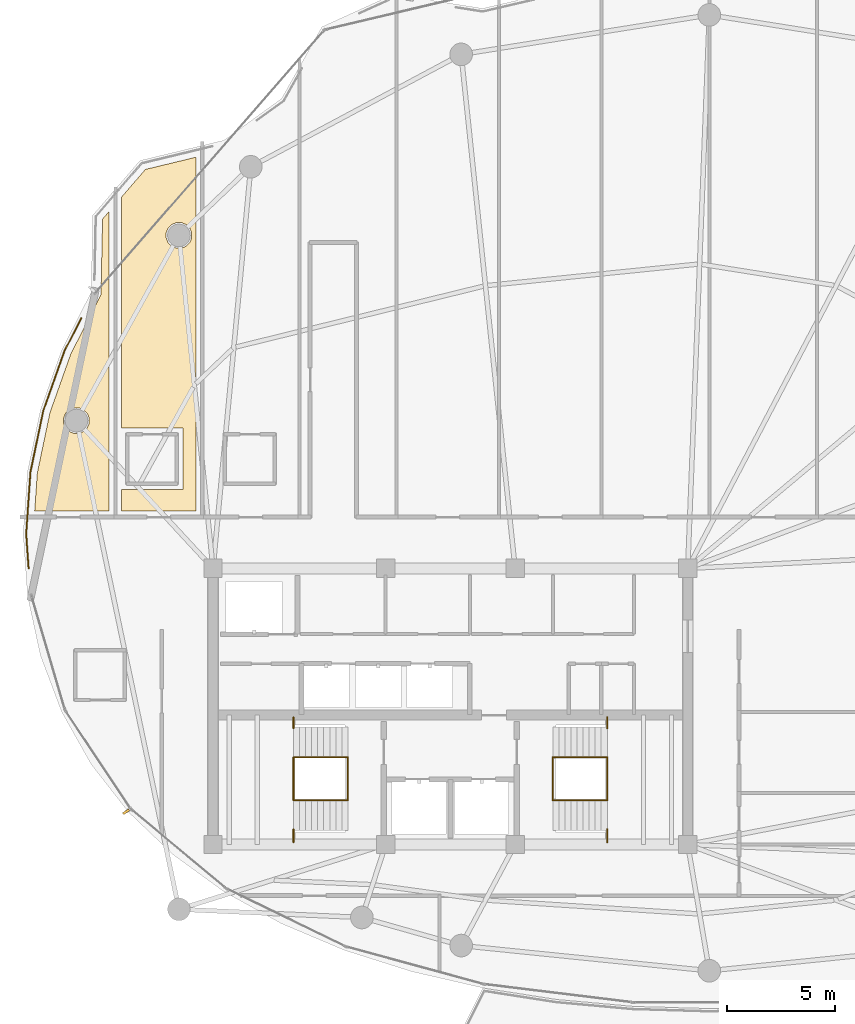
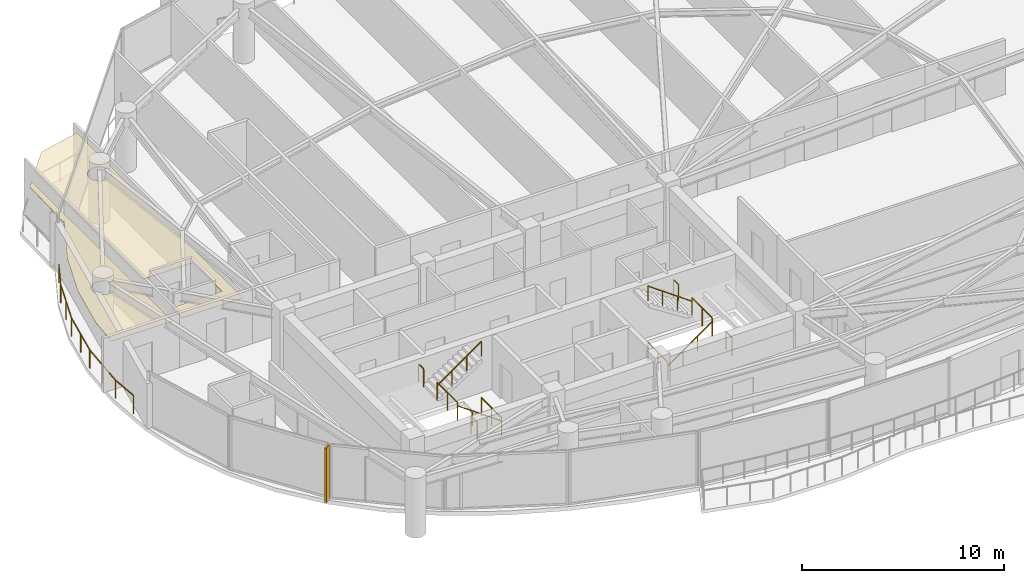
# One storey, part 27 of 29: 13 railings, 2 coverings, 1 shading device.
"""IFC4 building model written with IfcOpenShell, lengths in metres."""

from ifc_helpers import new_model, si_unit, direction, frame, origin, origin_2d, place, context, subcontext, project, spatial, polyline, rectangle, outline, extrude, material, layer, layer_set, type_object, element, save


model = new_model("IFC4")

# Units and contexts
model_context = context("Model", 3, precision=1e-05, world=origin(), true_north=direction((0.0, 1.0)))
body_context = subcontext(model_context, "Body", "Model", "MODEL_VIEW")
ifc_project = project(units=[si_unit("LENGTHUNIT", "METRE"), si_unit("AREAUNIT", "SQUARE_METRE"), si_unit("VOLUMEUNIT", "CUBIC_METRE"), si_unit("PLANEANGLEUNIT", "RADIAN"), si_unit("MASSUNIT", "GRAM", prefix="KILO")], contexts=[model_context])

# Site, building, storey
site_placement = place(None, origin())
site = spatial("IfcSite", under=ifc_project, at=site_placement, CompositionType="ELEMENT")
building_placement = place(site_placement, origin())
building = spatial("IfcBuilding", under=site, at=building_placement, Name="Kazevale Care Tower and Concert Hall", CompositionType="ELEMENT")
storey_placement = place(building_placement, frame((0.0, 0.0, 249.60009765625)))
storey = spatial("IfcBuildingStorey", under=building, at=storey_placement, Name="L66", CompositionType="ELEMENT", Elevation=249.60009765625)

# Coverings
ifc_material_1 = material(Name="Acoustic Plaster and Hinoki Wood", Category="wood")
ifc_layer = layer(ifc_material_1, 0.0400390625)
ifc_layer_set = layer_set([ifc_layer], Name="Acoustic Plaster and Hinoki Wood")
covering_type = type_object("IfcCoveringType", Name="Acoustic Perforated Wood-Gypsum Ceiling", PredefinedType="CEILING", material=ifc_layer_set)
covering_1_placement = place(storey_placement, frame((0.0, 0.0, 2.6298828125)))
element("IfcCovering", 1, at=covering_1_placement, inside=storey, type_object=covering_type, Name="clg:L66:1", PredefinedType="CEILING", context=body_context, shape_type="SweptSolid", body=[
    extrude(outline(polyline([(15.407958984375, 46.339111328125), (16.806884765625, 49.0791015625), (16.8798828125, 52.589111328125), (17.18994140625, 52.947998046875), (17.18994140625, 39.054931640625), (13.73388671875, 39.054931640625), (13.85693359375, 40.824951171875), (14.44091796875, 43.615966796875), (15.407958984375, 46.339111328125)]), holes=[polyline([(16.262939453125, 43.367919921875), (16.173095703125, 43.5859375), (16.006103515625, 43.7529296875), (15.7880859375, 43.843017578125), (15.552001953125, 43.843017578125), (15.333984375, 43.7529296875), (15.1669921875, 43.5859375), (15.076904296875, 43.367919921875), (15.076904296875, 43.132080078125), (15.1669921875, 42.9140625), (15.333984375, 42.7470703125), (15.552001953125, 42.656982421875), (15.7880859375, 42.656982421875), (16.006103515625, 42.7470703125), (16.173095703125, 42.9140625), (16.262939453125, 43.132080078125), (16.262939453125, 43.367919921875)])]), origin(), (0.0, 0.0, 1.0), 0.0400390625),
])
covering_2_placement = place(storey_placement, frame((0.0, 0.0, 2.6298828125)))
element("IfcCovering", 2, at=covering_2_placement, inside=storey, type_object=covering_type, Name="clg:L66:2", PredefinedType="CEILING", context=body_context, shape_type="SweptSolid", body=[
    extrude(outline(polyline([(17.75, 40.044921875), (20.60009765625, 40.044921875), (20.60009765625, 42.905029296875), (17.75, 42.905029296875), (17.75, 53.596923828125), (18.864990234375, 54.888916015625), (21.219970703125, 55.4580078125), (21.219970703125, 39.054931640625), (17.75, 39.054931640625), (17.75, 40.044921875)]), holes=[polyline([(21.012939453125, 51.947998046875), (20.923095703125, 52.166015625), (20.756103515625, 52.3330078125), (20.5380859375, 52.423095703125), (20.302001953125, 52.423095703125), (20.083984375, 52.3330078125), (19.9169921875, 52.166015625), (19.826904296875, 51.947998046875), (19.826904296875, 51.7119140625), (19.9169921875, 51.493896484375), (20.083984375, 51.326904296875), (20.302001953125, 51.237060546875), (20.5380859375, 51.237060546875), (20.756103515625, 51.326904296875), (20.923095703125, 51.493896484375), (21.012939453125, 51.7119140625), (21.012939453125, 51.947998046875)])]), origin(), (0.0, 0.0, 1.0), 0.0400390625),
])

# Railings
ifc_material_2 = material(Name="Anodised Bronze Aluminium and Laminated Glass", Category="aluminium")
railing_type_1 = type_object("IfcRailingType", Name="Balcony and Terrace Balustrade 1120", PredefinedType="BALUSTRADE", material=ifc_material_2)
railing_1_placement = place(storey_placement, frame((13.451904296875, 36.39892578125, 0.0)))
element("IfcRailing", 3, at=railing_1_placement, inside=storey, type_object=railing_type_1, Name="rail:L66:perim:1", PredefinedType="BALUSTRADE", context=body_context, shape_type="SweptSolid", body=[
    extrude(rectangle(XDim=0.048095703125, YDim=0.048095703125, at=origin_2d()), frame((0.0, 0.0, 1.09619140625), z_axis=(-0.069668671127, 0.997570186134, 0.0), x_axis=(-0.997570186134, -0.069668671127, 0.0)), (0.0, 0.0, 1.0), 1.60498046875),
    extrude(rectangle(XDim=0.048095703125, YDim=0.048095703125, at=origin_2d()), frame((-0.11181640625, 1.60107421875, 1.09619140625), z_axis=(0.069189590327, 0.997603528758, 0.0), x_axis=(-0.997603528758, 0.069189590327, 0.0)), (0.0, 0.0, 1.0), 2.875732421875),
    extrude(rectangle(XDim=0.048095703125, YDim=0.048095703125, at=origin_2d()), frame((0.087158203125, 4.469970703125, 1.09619140625), z_axis=(0.204816187417, 0.978800454317, 0.0), x_axis=(-0.978800454317, 0.204816187417, 0.0)), (0.0, 0.0, 1.0), 2.895263671875),
    extrude(rectangle(XDim=0.048095703125, YDim=0.048095703125, at=origin_2d()), frame((0.68017578125, 7.303955078125, 1.09619140625), z_axis=(0.334552974602, 0.942376945381, 0.0), x_axis=(-0.942376945381, 0.334552974602, 0.0)), (0.0, 0.0, 1.0), 2.93212890625),
    extrude(rectangle(XDim=0.048095703125, YDim=0.048095703125, at=origin_2d()), frame((1.6611328125, 10.067138671875, 1.09619140625), z_axis=(0.455056261721, 0.890462687971, 0.0), x_axis=(-0.890462687971, 0.455056261721, 0.0)), (0.0, 0.0, 1.0), 1.72705078125),
    extrude(rectangle(XDim=0.0419921875, YDim=0.0419921875, at=origin_2d()), origin(), (0.0, 0.0, 1.0), 1.072021484375),
    extrude(rectangle(XDim=0.0419921875, YDim=0.0419921875, at=origin_2d()), frame((-0.11181640625, 1.60107421875, 0.0)), (0.0, 0.0, 1.0), 1.072021484375),
    extrude(rectangle(XDim=0.0419921875, YDim=0.0419921875, at=origin_2d()), frame((-0.01220703125, 3.03564453125, 0.0)), (0.0, 0.0, 1.0), 1.072021484375),
    extrude(rectangle(XDim=0.0419921875, YDim=0.0419921875, at=origin_2d()), frame((0.087158203125, 4.469970703125, 0.0)), (0.0, 0.0, 1.0), 1.072021484375),
    extrude(rectangle(XDim=0.0419921875, YDim=0.0419921875, at=origin_2d()), frame((0.3837890625, 5.886962890625, 0.0)), (0.0, 0.0, 1.0), 1.072021484375),
    extrude(rectangle(XDim=0.0419921875, YDim=0.0419921875, at=origin_2d()), frame((0.68017578125, 7.303955078125, 0.0)), (0.0, 0.0, 1.0), 1.072021484375),
    extrude(rectangle(XDim=0.0419921875, YDim=0.0419921875, at=origin_2d()), frame((1.170654296875, 8.685546875, 0.0)), (0.0, 0.0, 1.0), 1.072021484375),
    extrude(rectangle(XDim=0.0419921875, YDim=0.0419921875, at=origin_2d()), frame((1.6611328125, 10.067138671875, 0.0)), (0.0, 0.0, 1.0), 1.072021484375),
    extrude(rectangle(XDim=0.0419921875, YDim=0.0419921875, at=origin_2d()), frame((2.447021484375, 11.60498046875, 0.0)), (0.0, 0.0, 1.0), 1.072021484375),
])
ifc_material_3 = material(Name="Stainless Steel 316", Category="steel")
railing_type_2 = type_object("IfcRailingType", Name="Stair Pitch Handrail 920", PredefinedType="HANDRAIL", material=ifc_material_3)
railing_2_placement = place(storey_placement, frame((28.25, 25.64990234375, 0.0)))
element("IfcRailing", 4, at=railing_2_placement, inside=storey, type_object=railing_type_2, Name="stair:L66:ST1:hr1", PredefinedType="HANDRAIL", context=body_context, shape_type="SweptSolid", body=[
    extrude(rectangle(XDim=0.048095703125, YDim=0.048095703125, at=origin_2d()), frame((0.0, 0.0, 0.89599609375), z_axis=(-0.813765431312, 0.0, 0.581193446971), x_axis=(0.0, -1.0, 0.0)), (0.0, 0.0, 1.0), 3.0966796875),
    extrude(rectangle(XDim=0.0419921875, YDim=0.0419921875, at=origin_2d()), origin(), (0.0, 0.0, 1.0), 0.871826171875),
    extrude(rectangle(XDim=0.0419921875, YDim=0.0419921875, at=origin_2d()), frame((-0.840087890625, 0.0, 0.599853515625)), (0.0, 0.0, 1.0), 0.871826171875),
    extrude(rectangle(XDim=0.0419921875, YDim=0.0419921875, at=origin_2d()), frame((-1.679931640625, 0.0, 1.199951171875)), (0.0, 0.0, 1.0), 0.871826171875),
    extrude(rectangle(XDim=0.0419921875, YDim=0.0419921875, at=origin_2d()), frame((-2.52001953125, 0.0, 1.7998046875)), (0.0, 0.0, 1.0), 0.871826171875),
])
railing_3_placement = place(storey_placement, frame((25.72998046875, 27.64990234375, 1.7998046875)))
element("IfcRailing", 5, at=railing_3_placement, inside=storey, type_object=railing_type_2, Name="stair:L66:ST1:hr2", PredefinedType="HANDRAIL", context=body_context, shape_type="SweptSolid", body=[
    extrude(rectangle(XDim=0.048095703125, YDim=0.048095703125, at=origin_2d()), frame((0.0, 0.0, 0.89599609375), z_axis=(0.813728144527, 0.0, 0.581245650998), x_axis=(0.0, 1.0, 0.0)), (0.0, 0.0, 1.0), 3.096923828125),
    extrude(rectangle(XDim=0.0419921875, YDim=0.0419921875, at=origin_2d()), origin(), (0.0, 0.0, 1.0), 0.871826171875),
    extrude(rectangle(XDim=0.0419921875, YDim=0.0419921875, at=origin_2d()), frame((0.840087890625, 0.0, 0.60009765625)), (0.0, 0.0, 1.0), 0.871826171875),
    extrude(rectangle(XDim=0.0419921875, YDim=0.0419921875, at=origin_2d()), frame((1.679931640625, 0.0, 1.199951171875)), (0.0, 0.0, 1.0), 0.871826171875),
    extrude(rectangle(XDim=0.0419921875, YDim=0.0419921875, at=origin_2d()), frame((2.52001953125, 0.0, 1.800048828125)), (0.0, 0.0, 1.0), 0.871826171875),
])
railing_4_placement = place(storey_placement, frame((37.75, 25.64990234375, 0.0)))
element("IfcRailing", 6, at=railing_4_placement, inside=storey, type_object=railing_type_2, Name="stair:L66:ST2:hr1", PredefinedType="HANDRAIL", context=body_context, shape_type="SweptSolid", body=[
    extrude(rectangle(XDim=0.048095703125, YDim=0.048095703125, at=origin_2d()), frame((0.0, 0.0, 0.89599609375), z_axis=(0.813765431312, 0.0, 0.581193446971), x_axis=(0.0, 1.0, 0.0)), (0.0, 0.0, 1.0), 3.0966796875),
    extrude(rectangle(XDim=0.0419921875, YDim=0.0419921875, at=origin_2d()), origin(), (0.0, 0.0, 1.0), 0.871826171875),
    extrude(rectangle(XDim=0.0419921875, YDim=0.0419921875, at=origin_2d()), frame((0.840087890625, 0.0, 0.599853515625)), (0.0, 0.0, 1.0), 0.871826171875),
    extrude(rectangle(XDim=0.0419921875, YDim=0.0419921875, at=origin_2d()), frame((1.679931640625, 0.0, 1.199951171875)), (0.0, 0.0, 1.0), 0.871826171875),
    extrude(rectangle(XDim=0.0419921875, YDim=0.0419921875, at=origin_2d()), frame((2.52001953125, 0.0, 1.7998046875)), (0.0, 0.0, 1.0), 0.871826171875),
])
railing_5_placement = place(storey_placement, frame((40.27001953125, 27.64990234375, 1.7998046875)))
element("IfcRailing", 7, at=railing_5_placement, inside=storey, type_object=railing_type_2, Name="stair:L66:ST2:hr2", PredefinedType="HANDRAIL", context=body_context, shape_type="SweptSolid", body=[
    extrude(rectangle(XDim=0.048095703125, YDim=0.048095703125, at=origin_2d()), frame((0.0, 0.0, 0.89599609375), z_axis=(-0.813728144527, 0.0, 0.581245650998), x_axis=(0.0, -1.0, 0.0)), (0.0, 0.0, 1.0), 3.096923828125),
    extrude(rectangle(XDim=0.0419921875, YDim=0.0419921875, at=origin_2d()), origin(), (0.0, 0.0, 1.0), 0.871826171875),
    extrude(rectangle(XDim=0.0419921875, YDim=0.0419921875, at=origin_2d()), frame((-0.840087890625, 0.0, 0.60009765625)), (0.0, 0.0, 1.0), 0.871826171875),
    extrude(rectangle(XDim=0.0419921875, YDim=0.0419921875, at=origin_2d()), frame((-1.679931640625, 0.0, 1.199951171875)), (0.0, 0.0, 1.0), 0.871826171875),
    extrude(rectangle(XDim=0.0419921875, YDim=0.0419921875, at=origin_2d()), frame((-2.52001953125, 0.0, 1.800048828125)), (0.0, 0.0, 1.0), 0.871826171875),
])
railing_type_3 = type_object("IfcRailingType", Name="Stair Well Guard Balustrade 1120", PredefinedType="BALUSTRADE", material=ifc_material_3)
railing_6_placement = place(storey_placement, frame((25.72998046875, 23.699951171875, 1.7998046875)))
element("IfcRailing", 8, at=railing_6_placement, inside=storey, type_object=railing_type_3, Name="stair:L66:ST1:grd_side1", PredefinedType="BALUSTRADE", context=body_context, shape_type="SweptSolid", body=[
    extrude(rectangle(XDim=0.048095703125, YDim=0.048095703125, at=origin_2d()), frame((0.0, 0.0, 1.09619140625), z_axis=(0.0, 1.0, 0.0), x_axis=(-1.0, 0.0, 0.0)), (0.0, 0.0, 1.0), 0.610107421875),
    extrude(rectangle(XDim=0.0419921875, YDim=0.0419921875, at=origin_2d()), origin(), (0.0, 0.0, 1.0), 1.072021484375),
    extrude(rectangle(XDim=0.0419921875, YDim=0.0419921875, at=origin_2d()), frame((0.0, 0.610107421875, 0.0)), (0.0, 0.0, 1.0), 1.072021484375),
])
railing_7_placement = place(storey_placement, frame((25.72998046875, 28.989990234375, 1.7998046875)))
element("IfcRailing", 9, at=railing_7_placement, inside=storey, type_object=railing_type_3, Name="stair:L66:ST1:grd_side2", PredefinedType="BALUSTRADE", context=body_context, shape_type="SweptSolid", body=[
    extrude(rectangle(XDim=0.048095703125, YDim=0.048095703125, at=origin_2d()), frame((0.0, 0.0, 1.09619140625), z_axis=(0.0, 1.0, 0.0), x_axis=(-1.0, 0.0, 0.0)), (0.0, 0.0, 1.0), 0.510009765625),
    extrude(rectangle(XDim=0.0419921875, YDim=0.0419921875, at=origin_2d()), origin(), (0.0, 0.0, 1.0), 1.072021484375),
    extrude(rectangle(XDim=0.0419921875, YDim=0.0419921875, at=origin_2d()), frame((0.0, 0.510009765625, 0.0)), (0.0, 0.0, 1.0), 1.072021484375),
])
for number, where, name in (
    (10, (25.72998046875, 25.64990234375, 1.7998046875), "stair:L66:ST1:grd_mid"),
    (11, (28.25, 25.64990234375, 0.0), "stair:L66:ST1:grd_flr"),
):
    element("IfcRailing", number, at=place(storey_placement, frame(where)), inside=storey, type_object=railing_type_3, Name=name, PredefinedType="BALUSTRADE", context=body_context, shape_type="SweptSolid", body=[
        extrude(rectangle(XDim=0.048095703125, YDim=0.048095703125, at=origin_2d()), frame((0.0, 0.0, 1.09619140625), z_axis=(0.0, 1.0, 0.0), x_axis=(-1.0, 0.0, 0.0)), (0.0, 0.0, 1.0), 2.0),
        extrude(rectangle(XDim=0.0419921875, YDim=0.0419921875, at=origin_2d()), origin(), (0.0, 0.0, 1.0), 1.072021484375),
        extrude(rectangle(XDim=0.0419921875, YDim=0.0419921875, at=origin_2d()), frame((0.0, 1.0, 0.0)), (0.0, 0.0, 1.0), 1.072021484375),
        extrude(rectangle(XDim=0.0419921875, YDim=0.0419921875, at=origin_2d()), frame((0.0, 2.0, 0.0)), (0.0, 0.0, 1.0), 1.072021484375),
    ])
railing_8_placement = place(storey_placement, frame((40.27001953125, 23.699951171875, 1.7998046875)))
element("IfcRailing", 12, at=railing_8_placement, inside=storey, type_object=railing_type_3, Name="stair:L66:ST2:grd_side1", PredefinedType="BALUSTRADE", context=body_context, shape_type="SweptSolid", body=[
    extrude(rectangle(XDim=0.048095703125, YDim=0.048095703125, at=origin_2d()), frame((0.0, 0.0, 1.09619140625), z_axis=(0.0, 1.0, 0.0), x_axis=(-1.0, 0.0, 0.0)), (0.0, 0.0, 1.0), 0.610107421875),
    extrude(rectangle(XDim=0.0419921875, YDim=0.0419921875, at=origin_2d()), origin(), (0.0, 0.0, 1.0), 1.072021484375),
    extrude(rectangle(XDim=0.0419921875, YDim=0.0419921875, at=origin_2d()), frame((0.0, 0.610107421875, 0.0)), (0.0, 0.0, 1.0), 1.072021484375),
])
railing_9_placement = place(storey_placement, frame((40.27001953125, 28.989990234375, 1.7998046875)))
element("IfcRailing", 13, at=railing_9_placement, inside=storey, type_object=railing_type_3, Name="stair:L66:ST2:grd_side2", PredefinedType="BALUSTRADE", context=body_context, shape_type="SweptSolid", body=[
    extrude(rectangle(XDim=0.048095703125, YDim=0.048095703125, at=origin_2d()), frame((0.0, 0.0, 1.09619140625), z_axis=(0.0, 1.0, 0.0), x_axis=(-1.0, 0.0, 0.0)), (0.0, 0.0, 1.0), 0.510009765625),
    extrude(rectangle(XDim=0.0419921875, YDim=0.0419921875, at=origin_2d()), origin(), (0.0, 0.0, 1.0), 1.072021484375),
    extrude(rectangle(XDim=0.0419921875, YDim=0.0419921875, at=origin_2d()), frame((0.0, 0.510009765625, 0.0)), (0.0, 0.0, 1.0), 1.072021484375),
])
for number, where, name in (
    (14, (40.27001953125, 25.64990234375, 1.7998046875), "stair:L66:ST2:grd_mid"),
    (15, (37.75, 25.64990234375, 0.0), "stair:L66:ST2:grd_flr"),
):
    element("IfcRailing", number, at=place(storey_placement, frame(where)), inside=storey, type_object=railing_type_3, Name=name, PredefinedType="BALUSTRADE", context=body_context, shape_type="SweptSolid", body=[
        extrude(rectangle(XDim=0.048095703125, YDim=0.048095703125, at=origin_2d()), frame((0.0, 0.0, 1.09619140625), z_axis=(0.0, 1.0, 0.0), x_axis=(-1.0, 0.0, 0.0)), (0.0, 0.0, 1.0), 2.0),
        extrude(rectangle(XDim=0.0419921875, YDim=0.0419921875, at=origin_2d()), origin(), (0.0, 0.0, 1.0), 1.072021484375),
        extrude(rectangle(XDim=0.0419921875, YDim=0.0419921875, at=origin_2d()), frame((0.0, 1.0, 0.0)), (0.0, 0.0, 1.0), 1.072021484375),
        extrude(rectangle(XDim=0.0419921875, YDim=0.0419921875, at=origin_2d()), frame((0.0, 2.0, 0.0)), (0.0, 0.0, 1.0), 1.072021484375),
    ])

# Shading device
ifc_material_4 = material(Name="Anodised Bronze Aluminium", Category="aluminium")
shading_device_type = type_object("IfcShadingDeviceType", Name="Waist Anodised Bronze-Stone Fin FIN-02", PredefinedType="USERDEFINED", material=ifc_material_4)
shading_device_placement = place(storey_placement, frame((17.972900390625, 25.121337890625, 0.0), z_axis=(0.0, 0.0, 1.0), x_axis=(-0.832147748683, -0.554553986878, 0.0)))
element("IfcShadingDevice", 16, at=shading_device_placement, inside=storey, type_object=shading_device_type, Name="cw:L66:f11:fin", ObjectType="FIN", PredefinedType="USERDEFINED", context=body_context, shape_type="SweptSolid", body=[
    extrude(rectangle(XDim=0.340087890625, YDim=0.10009765625, at=origin_2d()), origin(), (0.0, 0.0, 1.0), 3.280029296875),
])

save(model, "model.ifc")
